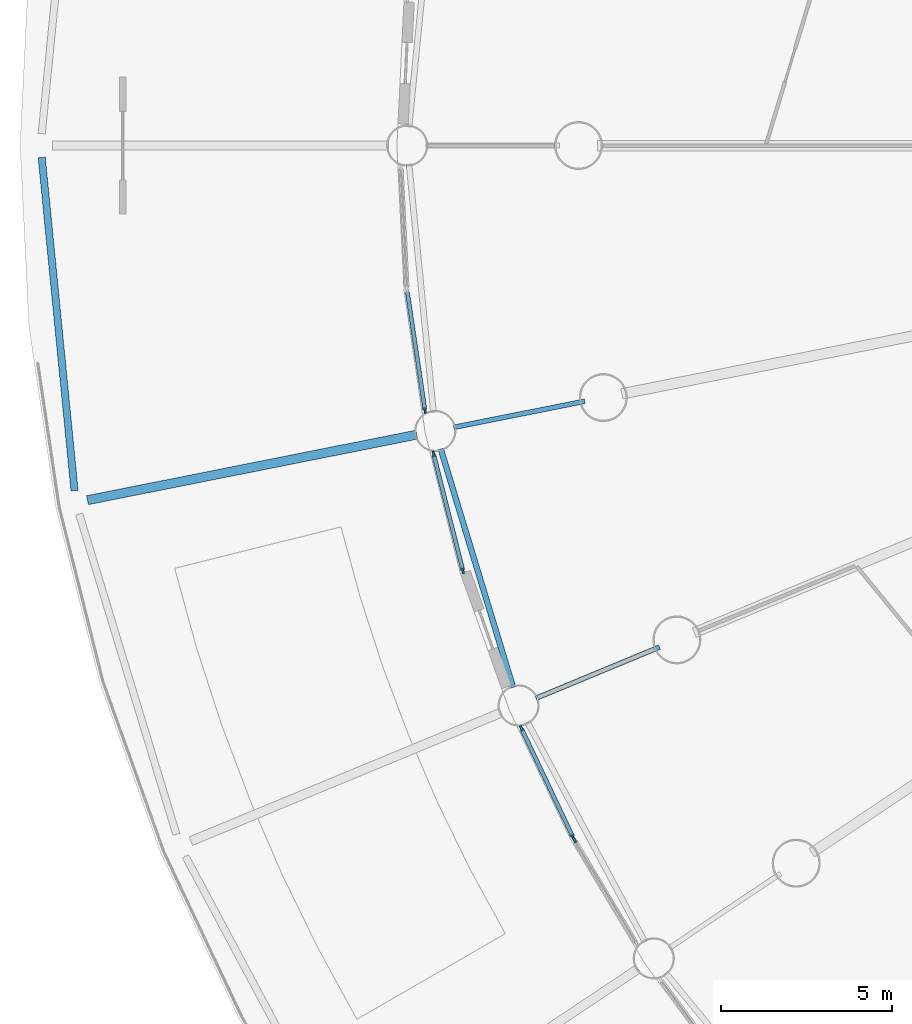
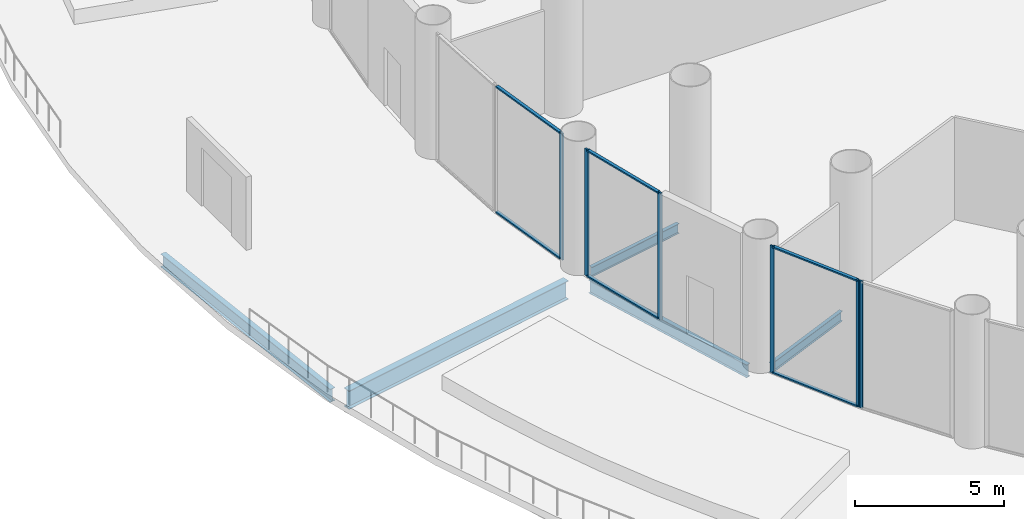
# One storey, part 6 of 36: 12 members, 5 beams, 4 elements without a shape of their own.
"""IFC4 building model written with IfcOpenShell, lengths in metres."""

from ifc_helpers import new_model, si_unit, direction, frame, origin, origin_2d, place, context, subcontext, project, spatial, rectangle, i_section, extrude, material, material_profile, profile_set, type_object, element, aggregate, save


model = new_model("IFC4")

# Units and contexts
model_context = context("Model", 3, precision=1e-05, world=origin(), true_north=direction((0.0, 1.0)))
body_context = subcontext(model_context, "Body", "Model", "MODEL_VIEW")
ifc_project = project(units=[si_unit("LENGTHUNIT", "METRE"), si_unit("AREAUNIT", "SQUARE_METRE"), si_unit("VOLUMEUNIT", "CUBIC_METRE"), si_unit("PLANEANGLEUNIT", "RADIAN"), si_unit("MASSUNIT", "GRAM", prefix="KILO")], contexts=[model_context])

# Site, building, storey
site_placement = place(None, origin())
site = spatial("IfcSite", under=ifc_project, at=site_placement, CompositionType="ELEMENT")
building_placement = place(site_placement, origin())
building = spatial("IfcBuilding", under=site, at=building_placement, Name="Corvane Civic Tower", CompositionType="ELEMENT")
storey_placement = place(building_placement, frame((0.0, 0.0, 6.0)))
storey = spatial("IfcBuildingStorey", under=building, at=storey_placement, Name="L01", CompositionType="ELEMENT", Elevation=6.0)

# Beams
ifc_material_1 = material(Name="Steel ASTM A992 Gr 50", Category="steel")
ifc_material_profile_1 = material_profile(ifc_material_1, i_section(OverallWidth=0.2666015625, OverallDepth=0.7568359375, WebThickness=0.013916015625, FlangeThickness=0.019287109375, at=origin_2d()), Name="W30X108")
ifc_profile_set_1 = profile_set([ifc_material_profile_1], Name="Steel ASTM A992 Gr 50")
beam_type_1 = type_object("IfcBeamType", Name="DECK BEAM W30X108", PredefinedType="BEAM", material=ifc_profile_set_1)
beam_1_placement = place(storey_placement, frame((-42.4189453125, -8.437744140625, -0.678466796875), z_axis=(-0.980786137942, -0.195086010826, 0.0), x_axis=(0.195086010826, -0.980786137942, 0.0)))
element("IfcBeam", 1, at=beam_1_placement, inside=storey, type_object=beam_type_1, Name="BM-L01-D24", PredefinedType="BEAM", context=body_context, shape_type="SweptSolid", body=[
    extrude(i_section(OverallWidth=0.2666015625, OverallDepth=0.7568359375, WebThickness=0.013916015625, FlangeThickness=0.019287109375, at=origin_2d()), origin(), (0.0, 0.0, 1.0), 9.800048828125),
])
ifc_material_2 = material(Name="Steel ASTM A992 Gr 50", Category="steel")
ifc_material_profile_2 = material_profile(ifc_material_2, i_section(OverallWidth=0.165771484375, OverallDepth=0.5283203125, WebThickness=0.009765625, FlangeThickness=0.013671875, at=origin_2d()), Name="W21X50")
ifc_profile_set_2 = profile_set([ifc_material_profile_2], Name="Steel ASTM A992 Gr 50")
beam_type_2 = type_object("IfcBeamType", Name="EDGE BEAM W21X50", PredefinedType="BEAM", material=ifc_profile_set_2)
beam_2_placement = place(storey_placement, frame((-39.609375, -15.814208984375, -0.564208984375), z_axis=(-0.290291633127, 0.956938225664, 0.0), x_axis=(-0.956938225664, -0.290291633127, 0.0)))
element("IfcBeam", 2, at=beam_2_placement, inside=storey, type_object=beam_type_2, Name="BM-L01-E23", PredefinedType="BEAM", context=body_context, shape_type="SweptSolid", body=[
    extrude(i_section(OverallWidth=0.165771484375, OverallDepth=0.5283203125, WebThickness=0.009765625, FlangeThickness=0.013671875, at=origin_2d()), origin(), (0.0, 0.0, 1.0), 7.2705078125),
])
ifc_material_3 = material(Name="Steel ASTM A992 Gr 50", Category="steel")
ifc_material_profile_3 = material_profile(ifc_material_3, i_section(OverallWidth=0.209228515625, OverallDepth=0.533447265625, WebThickness=0.01025390625, FlangeThickness=0.015625, at=origin_2d()), Name="W21X62")
ifc_profile_set_3 = profile_set([ifc_material_profile_3], Name="Steel ASTM A992 Gr 50")
beam_type_3 = type_object("IfcBeamType", Name="EDGE BEAM W21X62", PredefinedType="BEAM", material=ifc_profile_set_3)
beam_3_placement = place(storey_placement, frame((-52.408203125, -10.0693359375, -0.566650390625), z_axis=(-0.098001490731, 0.995186267899, 0.0), x_axis=(-0.995186267899, -0.098001490731, 0.0)))
element("IfcBeam", 3, at=beam_3_placement, inside=storey, type_object=beam_type_3, Name="BM-L01-H24", PredefinedType="BEAM", context=body_context, shape_type="SweptSolid", body=[
    extrude(i_section(OverallWidth=0.209228515625, OverallDepth=0.533447265625, WebThickness=0.01025390625, FlangeThickness=0.015625, at=origin_2d()), origin(), (0.0, 0.0, 1.0), 9.76806640625),
])
ifc_material_4 = material(Name="Steel ASTM A992 Gr 50", Category="steel")
ifc_material_profile_4 = material_profile(ifc_material_4, i_section(OverallWidth=0.140380859375, OverallDepth=0.40380859375, WebThickness=0.007080078125, FlangeThickness=0.01123046875, at=origin_2d()), Name="W16X31")
ifc_profile_set_4 = profile_set([ifc_material_profile_4], Name="Steel ASTM A992 Gr 50")
beam_type_4 = type_object("IfcBeamType", Name="FLOOR GIRDER W16X31", PredefinedType="BEAM", material=ifc_profile_set_4)
for number, where, z_axis, x_axis, name in (
    (4, (-35.33837890625, -14.6376953125, -0.501953125), (-0.923878730261, -0.382685369162, 0.0), (0.382685369162, -0.923878730261, 0.0), "BM-L01-G23b"),
    (5, (-37.51513671875, -7.462158203125, -0.501953125), (-0.980777614264, -0.195128858343, 0.0), (0.195128858343, -0.980777614264, 0.0), "BM-L01-G24b"),
):
    element("IfcBeam", number, at=place(storey_placement, frame(where, z_axis=z_axis, x_axis=x_axis)), inside=storey, type_object=beam_type_4, Name=name, PredefinedType="BEAM", context=body_context, shape_type="SweptSolid", body=[
        extrude(i_section(OverallWidth=0.140380859375, OverallDepth=0.40380859375, WebThickness=0.007080078125, FlangeThickness=0.01123046875, at=origin_2d()), origin(), (0.0, 0.0, 1.0), 3.89990234375),
    ])

# Curtain wall, member
ifc_material_5 = material(Name="Aluminium and glass", Category="aluminium")
curtain_wall_type = type_object("IfcCurtainWallType", Name="PODIUM-CW-P-RUN", PredefinedType="NOTDEFINED", material=ifc_material_5)
curtain_wall_1_placement = place(storey_placement, origin())
curtain_wall_1 = element("IfcCurtainWall", 6, at=curtain_wall_1_placement, inside=storey, type_object=curtain_wall_type, Name="PODI run L01-drum-22A", PredefinedType="NOTDEFINED")
ifc_material_6 = material(Name="Anodised aluminium bronze", Category="aluminium")
ifc_material_profile_5 = material_profile(ifc_material_6, rectangle(XDim=0.06005859375, YDim=0.159912109375, at=origin_2d()), Name="AL 60x160")
ifc_profile_set_5 = profile_set([ifc_material_profile_5], Name="Anodised aluminium bronze")
member_type_1 = type_object("IfcMemberType", Name="PODIUM-CWP-MULLION-60x160", PredefinedType="MULLION", material=ifc_profile_set_5)
member_1_placement = place(storey_placement, frame((-37.819580078125, -20.2666015625, 0.0), z_axis=(0.0, 0.0, 1.0), x_axis=(-0.857719609779, -0.514117759857, 0.0)))
member_1 = element("IfcMember", 7, at=member_1_placement, type_object=member_type_1, Name="CW-P mullion 2", PredefinedType="MULLION", context=body_context, shape_type="SweptSolid", body=[
    extrude(rectangle(XDim=0.06005859375, YDim=0.159912109375, at=origin_2d()), origin(), (0.0, 0.0, 1.0), 5.199951171875),
])
aggregate(curtain_wall_1, [member_1])

# Curtain wall, members
curtain_wall_2_placement = place(storey_placement, origin())
curtain_wall_2 = element("IfcCurtainWall", 8, at=curtain_wall_2_placement, inside=storey, type_object=curtain_wall_type, Name="PODI run L01-drum-22B", PredefinedType="NOTDEFINED")
member_2_placement = place(storey_placement, frame((-37.862548828125, -20.186279296875, 0.0), z_axis=(0.0, 0.0, 1.0), x_axis=(-0.903990222454, -0.42755312852, 0.0)))
member_2 = element("IfcMember", 9, at=member_2_placement, type_object=member_type_1, Name="CW-P mullion 1", PredefinedType="MULLION", context=body_context, shape_type="SweptSolid", body=[
    extrude(rectangle(XDim=0.06005859375, YDim=0.159912109375, at=origin_2d()), origin(), (0.0, 0.0, 1.0), 5.199951171875),
])
member_3_placement = place(storey_placement, frame((-39.36767578125, -17.00439453125, 0.0), z_axis=(0.0, 0.0, 1.0), x_axis=(-0.903990222454, -0.42755312852, 0.0)))
member_3 = element("IfcMember", 10, at=member_3_placement, type_object=member_type_1, Name="CW-P mullion 2", PredefinedType="MULLION", context=body_context, shape_type="SweptSolid", body=[
    extrude(rectangle(XDim=0.06005859375, YDim=0.159912109375, at=origin_2d()), origin(), (0.0, 0.0, 1.0), 5.199951171875),
])

curtain_wall_3_placement = place(storey_placement, origin())
curtain_wall_3 = element("IfcCurtainWall", 11, at=curtain_wall_3_placement, inside=storey, type_object=curtain_wall_type, Name="PODI run L01-drum-23B", PredefinedType="NOTDEFINED")
member_4_placement = place(storey_placement, frame((-41.0732421875, -12.411865234375, 0.0), z_axis=(0.0, 0.0, 1.0), x_axis=(-0.970024070659, -0.243008852393, 0.0)))
member_4 = element("IfcMember", 12, at=member_4_placement, type_object=member_type_1, Name="CW-P mullion 1", PredefinedType="MULLION", context=body_context, shape_type="SweptSolid", body=[
    extrude(rectangle(XDim=0.06005859375, YDim=0.159912109375, at=origin_2d()), origin(), (0.0, 0.0, 1.0), 5.199951171875),
])
member_5_placement = place(storey_placement, frame((-41.9287109375, -8.99755859375, 0.0), z_axis=(0.0, 0.0, 1.0), x_axis=(-0.970024070659, -0.243008852393, 0.0)))
member_5 = element("IfcMember", 13, at=member_5_placement, type_object=member_type_1, Name="CW-P mullion 2", PredefinedType="MULLION", context=body_context, shape_type="SweptSolid", body=[
    extrude(rectangle(XDim=0.06005859375, YDim=0.159912109375, at=origin_2d()), origin(), (0.0, 0.0, 1.0), 5.199951171875),
])

# Curtain wall, member
curtain_wall_4_placement = place(storey_placement, origin())
curtain_wall_4 = element("IfcCurtainWall", 14, at=curtain_wall_4_placement, inside=storey, type_object=curtain_wall_type, Name="PODI run L01-drum-24A", PredefinedType="NOTDEFINED")
member_6_placement = place(storey_placement, frame((-42.18017578125, -7.732666015625, 0.0), z_axis=(0.0, 0.0, 1.0), x_axis=(-0.989178850608, -0.146714694252, 0.0)))
member_6 = element("IfcMember", 15, at=member_6_placement, type_object=member_type_1, Name="CW-P mullion 1", PredefinedType="MULLION", context=body_context, shape_type="SweptSolid", body=[
    extrude(rectangle(XDim=0.06005859375, YDim=0.159912109375, at=origin_2d()), origin(), (0.0, 0.0, 1.0), 5.199951171875),
])

# Member
ifc_material_7 = material(Name="Anodised aluminium bronze", Category="aluminium")
ifc_material_profile_6 = material_profile(ifc_material_7, rectangle(XDim=0.1201171875, YDim=0.06005859375, at=origin_2d()), Name="AL 120x60")
ifc_profile_set_6 = profile_set([ifc_material_profile_6], Name="Anodised aluminium bronze")
member_type_2 = type_object("IfcMemberType", Name="PODIUM-CWP-TRANSOM-60x120", PredefinedType="USERDEFINED", material=ifc_profile_set_6)
member_7_placement = place(storey_placement, frame((-37.87548828125, -20.1591796875, 0.030029296875), z_axis=(-0.427546343166, 0.903993431638, 0.0), x_axis=(-0.903993431638, -0.427546343166, 0.0)))
member_7 = element("IfcMember", 16, at=member_7_placement, type_object=member_type_2, Name="CW-P transom 1.1", ObjectType="TRANSOM", PredefinedType="USERDEFINED", context=body_context, shape_type="SweptSolid", body=[
    extrude(rectangle(XDim=0.1201171875, YDim=0.06005859375, at=origin_2d()), origin(), (0.0, 0.0, 1.0), 3.4599609375),
])

member_8_placement = place(storey_placement, frame((-37.87548828125, -20.1591796875, 5.169921875), z_axis=(-0.427546343166, 0.903993431638, 0.0), x_axis=(-0.903993431638, -0.427546343166, 0.0)))
member_8 = element("IfcMember", 17, at=member_8_placement, type_object=member_type_2, Name="CW-P transom 1.2", ObjectType="TRANSOM", PredefinedType="USERDEFINED", context=body_context, shape_type="SweptSolid", body=[
    extrude(rectangle(XDim=0.1201171875, YDim=0.06005859375, at=origin_2d()), origin(), (0.0, 0.0, 1.0), 3.4599609375),
])

aggregate(curtain_wall_2, [member_2, member_3, member_7, member_8])

member_9_placement = place(storey_placement, frame((-41.08056640625, -12.3828125, 0.030029296875), z_axis=(-0.243017080124, 0.970022009425, 0.0), x_axis=(-0.970022009425, -0.243017080124, 0.0)))
member_9 = element("IfcMember", 18, at=member_9_placement, type_object=member_type_2, Name="CW-P transom 1.1", ObjectType="TRANSOM", PredefinedType="USERDEFINED", context=body_context, shape_type="SweptSolid", body=[
    extrude(rectangle(XDim=0.1201171875, YDim=0.06005859375, at=origin_2d()), origin(), (0.0, 0.0, 1.0), 3.4599609375),
])

member_10_placement = place(storey_placement, frame((-41.08056640625, -12.3828125, 5.169921875), z_axis=(-0.243017080124, 0.970022009425, 0.0), x_axis=(-0.970022009425, -0.243017080124, 0.0)))
member_10 = element("IfcMember", 19, at=member_10_placement, type_object=member_type_2, Name="CW-P transom 1.2", ObjectType="TRANSOM", PredefinedType="USERDEFINED", context=body_context, shape_type="SweptSolid", body=[
    extrude(rectangle(XDim=0.1201171875, YDim=0.06005859375, at=origin_2d()), origin(), (0.0, 0.0, 1.0), 3.4599609375),
])

aggregate(curtain_wall_3, [member_4, member_5, member_9, member_10])

member_11_placement = place(storey_placement, frame((-42.1845703125, -7.703125, 0.030029296875), z_axis=(-0.146704660039, 0.989180338828, 0.0), x_axis=(-0.989180338828, -0.146704660039, 0.0)))
member_11 = element("IfcMember", 20, at=member_11_placement, type_object=member_type_2, Name="CW-P transom 1.1", ObjectType="TRANSOM", PredefinedType="USERDEFINED", context=body_context, shape_type="SweptSolid", body=[
    extrude(rectangle(XDim=0.1201171875, YDim=0.06005859375, at=origin_2d()), origin(), (0.0, 0.0, 1.0), 3.459716796875),
])

member_12_placement = place(storey_placement, frame((-42.1845703125, -7.703125, 5.169921875), z_axis=(-0.146704660039, 0.989180338828, 0.0), x_axis=(-0.989180338828, -0.146704660039, 0.0)))
member_12 = element("IfcMember", 21, at=member_12_placement, type_object=member_type_2, Name="CW-P transom 1.2", ObjectType="TRANSOM", PredefinedType="USERDEFINED", context=body_context, shape_type="SweptSolid", body=[
    extrude(rectangle(XDim=0.1201171875, YDim=0.06005859375, at=origin_2d()), origin(), (0.0, 0.0, 1.0), 3.459716796875),
])

aggregate(curtain_wall_4, [member_6, member_11, member_12])

save(model, "model.ifc")
